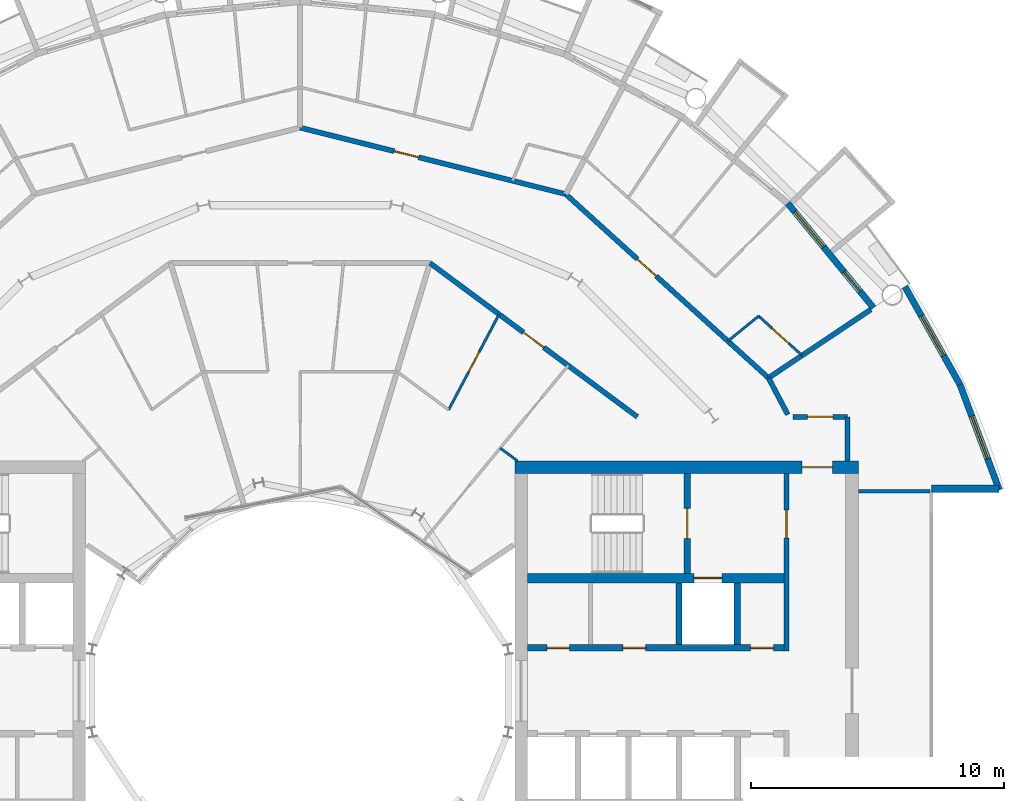
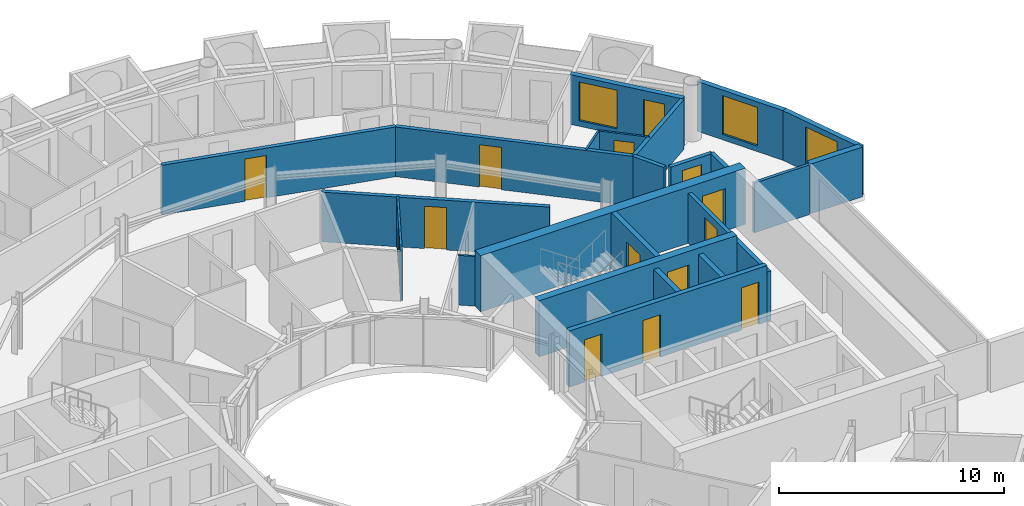
# One storey, part 22 of 26: 23 walls, 14 doors, 3 windows, 17 openings.
"""IFC4 building model written with IfcOpenShell, lengths in metres."""

from ifc_helpers import new_model, si_unit, direction, frame, frame_2d, origin, place, context, subcontext, project, spatial, rectangle, extrude, material, layer, layer_set, type_object, element, fill, save


model = new_model("IFC4")

# Units and contexts
model_context = context("Model", 3, precision=1e-05, world=origin(), true_north=direction((0.0, 1.0)))
body_context = subcontext(model_context, "Body", "Model", "MODEL_VIEW")
ifc_project = project(units=[si_unit("LENGTHUNIT", "METRE"), si_unit("AREAUNIT", "SQUARE_METRE"), si_unit("VOLUMEUNIT", "CUBIC_METRE"), si_unit("PLANEANGLEUNIT", "RADIAN"), si_unit("MASSUNIT", "GRAM", prefix="KILO")], contexts=[model_context])

# Site, building, storey
site_placement = place(None, origin())
site = spatial("IfcSite", under=ifc_project, at=site_placement, CompositionType="ELEMENT")
building_placement = place(site_placement, origin())
building = spatial("IfcBuilding", under=site, at=building_placement, Name="Maasbend Ring Residences", CompositionType="ELEMENT")
storey_placement = place(building_placement, frame((0.0, 0.0, 154.35009765625)))
storey = spatial("IfcBuildingStorey", under=building, at=storey_placement, Name="L44", CompositionType="ELEMENT", Elevation=154.35009765625)

# Wall, openings, doors
ifc_material_1 = material(Name="Concrete C60/75", Category="concrete")
ifc_layer_1 = layer(ifc_material_1, 0.25)
ifc_layer_set_1 = layer_set([ifc_layer_1], Name="Concrete C60/75")
wall_type_1 = type_object("IfcWallType", Name="CORE WALL 250 C60/75", PredefinedType="SHEAR", material=ifc_layer_set_1)
wall_1_placement = place(storey_placement, frame((9.0, 1.699951171875, 0.0), z_axis=(0.0, 0.0, 1.0), x_axis=(1.0, 0.0, 0.0)))
wall_1 = element("IfcWall", 1, at=wall_1_placement, inside=storey, type_object=wall_type_1, Name="L44 core E wall SPN", PredefinedType="SHEAR", context=body_context, shape_type="SweptSolid", body=[
    extrude(rectangle(XDim=10.14990234375, YDim=0.25, at=frame_2d((5.074951171875, 0.0))), origin(), (0.0, 0.0, 1.0), 3.0498046875),
])
opening_1_placement = place(wall_1_placement, frame((0.762451171875, 0.0, 0.0)))
opening_1 = element("IfcOpeningElement", 2, at=opening_1_placement, cuts=wall_1, Name="Opening D-E4406", PredefinedType="OPENING", context=body_context, shape_type="SweptSolid", body=[
    extrude(rectangle(XDim=0.89990234375, YDim=2.300048828125, at=frame_2d((0.449951171875, 1.14990234375))), frame((0.0, 0.135009765625, 0.0), z_axis=(0.0, -1.0, 0.0), x_axis=(1.0, 0.0, 0.0)), (0.0, 0.0, 1.0), 0.27001953125),
])
opening_2_placement = place(wall_1_placement, frame((3.77490234375, 0.0, 0.0)))
opening_2 = element("IfcOpeningElement", 3, at=opening_2_placement, cuts=wall_1, Name="Opening D-E4407", PredefinedType="OPENING", context=body_context, shape_type="SweptSolid", body=[
    extrude(rectangle(XDim=0.89990234375, YDim=2.300048828125, at=frame_2d((0.449951171875, 1.14990234375))), frame((0.0, 0.135009765625, 0.0), z_axis=(0.0, -1.0, 0.0), x_axis=(1.0, 0.0, 0.0)), (0.0, 0.0, 1.0), 0.27001953125),
])
opening_3_placement = place(wall_1_placement, frame((8.83740234375, 0.0, 0.0)))
opening_3 = element("IfcOpeningElement", 4, at=opening_3_placement, cuts=wall_1, Name="Opening D-E4408", PredefinedType="OPENING", context=body_context, shape_type="SweptSolid", body=[
    extrude(rectangle(XDim=0.89990234375, YDim=2.300048828125, at=frame_2d((0.449951171875, 1.14990234375))), frame((0.0, 0.135009765625, 0.0), z_axis=(0.0, -1.0, 0.0), x_axis=(1.0, 0.0, 0.0)), (0.0, 0.0, 1.0), 0.27001953125),
])
ifc_material_2 = material(Name="Steel, powder coated", Category="steel")
door_type_1 = type_object("IfcDoorType", Name="ROOM DOOR 900 X 2300 FD30S", OperationType="NOTDEFINED", PredefinedType="DOOR", material=ifc_material_2)
door_1_placement = place(opening_1_placement, origin())
door_1 = element("IfcDoor", 5, at=door_1_placement, inside=storey, type_object=door_type_1, Name="Room door L44", OperationType="SINGLE_SWING_RIGHT", OverallHeight=2.300048828125, OverallWidth=0.89990234375, PredefinedType="DOOR", context=body_context, shape_type="SweptSolid", body=[
    extrude(rectangle(XDim=0.89990234375, YDim=2.300048828125, at=frame_2d((0.449951171875, 1.14990234375))), frame((0.0, 0.02490234375, 0.0), z_axis=(0.0, -1.0, 0.0), x_axis=(1.0, 0.0, 0.0)), (0.0, 0.0, 1.0), 0.050048828125),
])
fill(opening_1, door_1)
door_2_placement = place(opening_2_placement, origin())
door_2 = element("IfcDoor", 6, at=door_2_placement, inside=storey, type_object=door_type_1, Name="Room door L44", OperationType="SINGLE_SWING_RIGHT", OverallHeight=2.300048828125, OverallWidth=0.89990234375, PredefinedType="DOOR", context=body_context, shape_type="SweptSolid", body=[
    extrude(rectangle(XDim=0.89990234375, YDim=2.300048828125, at=frame_2d((0.449951171875, 1.14990234375))), frame((0.0, 0.02490234375, 0.0), z_axis=(0.0, -1.0, 0.0), x_axis=(1.0, 0.0, 0.0)), (0.0, 0.0, 1.0), 0.050048828125),
])
fill(opening_2, door_2)
door_3_placement = place(opening_3_placement, origin())
door_3 = element("IfcDoor", 7, at=door_3_placement, inside=storey, type_object=door_type_1, Name="Room door L44", OperationType="SINGLE_SWING_LEFT", OverallHeight=2.300048828125, OverallWidth=0.89990234375, PredefinedType="DOOR", context=body_context, shape_type="SweptSolid", body=[
    extrude(rectangle(XDim=0.89990234375, YDim=2.300048828125, at=frame_2d((0.449951171875, 1.14990234375))), frame((0.0, 0.02490234375, 0.0), z_axis=(0.0, -1.0, 0.0), x_axis=(1.0, 0.0, 0.0)), (0.0, 0.0, 1.0), 0.050048828125),
])
fill(opening_3, door_3)

# Wall, opening, door
wall_2_placement = place(storey_placement, frame((15.324951171875, 4.64990234375, 0.0), z_axis=(0.0, 0.0, 1.0), x_axis=(0.0, 1.0, 0.0)))
wall_2 = element("IfcWall", 8, at=wall_2_placement, inside=storey, type_object=wall_type_1, Name="L44 core E wall STEN", PredefinedType="SHEAR", context=body_context, shape_type="SweptSolid", body=[
    extrude(rectangle(XDim=3.9501953125, YDim=0.25, at=frame_2d((1.97509765625, 0.0))), origin(), (0.0, 0.0, 1.0), 3.0498046875),
])
opening_4_placement = place(wall_2_placement, frame((1.375, 0.0, 0.0)))
opening_4 = element("IfcOpeningElement", 9, at=opening_4_placement, cuts=wall_2, Name="Opening D-E4411", PredefinedType="OPENING", context=body_context, shape_type="SweptSolid", body=[
    extrude(rectangle(XDim=1.199951171875, YDim=2.300048828125, at=frame_2d((0.60009765625, 1.14990234375))), frame((0.0, 0.135009765625, 0.0), z_axis=(0.0, -1.0, 0.0), x_axis=(1.0, 0.0, 0.0)), (0.0, 0.0, 1.0), 0.27001953125),
])
ifc_material_3 = material(Name="Steel, powder coated", Category="steel")
door_type_2 = type_object("IfcDoorType", Name="STAIR DOOR 1200 X 2300 FD60", OperationType="NOTDEFINED", PredefinedType="DOOR", material=ifc_material_3)
door_4_placement = place(opening_4_placement, origin())
door_4 = element("IfcDoor", 10, at=door_4_placement, inside=storey, type_object=door_type_2, Name="Stair door ST-E L44", OperationType="SINGLE_SWING_LEFT", OverallHeight=2.300048828125, OverallWidth=1.199951171875, PredefinedType="DOOR", context=body_context, shape_type="SweptSolid", body=[
    extrude(rectangle(XDim=1.199951171875, YDim=2.300048828125, at=frame_2d((0.60009765625, 1.14990234375))), frame((0.0, 0.02490234375, 0.0), z_axis=(0.0, -1.0, 0.0), x_axis=(1.0, 0.0, 0.0)), (0.0, 0.0, 1.0), 0.050048828125),
])
fill(opening_4, door_4)

ifc_material_4 = material(Name="Concrete C60/75", Category="concrete")
ifc_layer_2 = layer(ifc_material_4, 0.375)
ifc_layer_set_2 = layer_set([ifc_layer_2], Name="Concrete C60/75")
wall_type_2 = type_object("IfcWallType", Name="CORE WALL 375 C60/75", PredefinedType="SHEAR", material=ifc_layer_set_2)
wall_3_placement = place(storey_placement, frame((9.0, 4.46240234375, 0.0), z_axis=(0.0, 0.0, 1.0), x_axis=(1.0, 0.0, 0.0)))
wall_3 = element("IfcWall", 11, at=wall_3_placement, inside=storey, type_object=wall_type_2, Name="L44 core E wall BN", PredefinedType="SHEAR", context=body_context, shape_type="SweptSolid", body=[
    extrude(rectangle(XDim=10.14990234375, YDim=0.375, at=frame_2d((5.074951171875, 0.0))), origin(), (0.0, 0.0, 1.0), 3.0498046875),
])
opening_5_placement = place(wall_3_placement, frame((6.60009765625, 0.0, 0.0)))
opening_5 = element("IfcOpeningElement", 12, at=opening_5_placement, cuts=wall_3, Name="Opening LD-E4401", PredefinedType="OPENING", context=body_context, shape_type="SweptSolid", body=[
    extrude(rectangle(XDim=1.10009765625, YDim=2.300048828125, at=frame_2d((0.550048828125, 1.14990234375))), frame((0.0, 0.197509765625, 0.0), z_axis=(0.0, -1.0, 0.0), x_axis=(1.0, 0.0, 0.0)), (0.0, 0.0, 1.0), 0.39501953125),
])
ifc_material_5 = material(Name="Stainless steel 316", Category="steel")
door_type_3 = type_object("IfcDoorType", Name="LANDING DOOR 1100 X 2300 FD60", OperationType="DOUBLE_DOOR_SLIDING", PredefinedType="DOOR", material=ifc_material_5)
door_5_placement = place(opening_5_placement, origin())
door_5 = element("IfcDoor", 13, at=door_5_placement, inside=storey, type_object=door_type_3, Name="Landing door FF-E L44", OperationType="DOUBLE_DOOR_SLIDING", OverallHeight=2.300048828125, OverallWidth=1.10009765625, PredefinedType="DOOR", context=body_context, shape_type="SweptSolid", body=[
    extrude(rectangle(XDim=1.10009765625, YDim=2.300048828125, at=frame_2d((0.550048828125, 1.14990234375))), frame((0.0, 0.02490234375, 0.0), z_axis=(0.0, -1.0, 0.0), x_axis=(1.0, 0.0, 0.0)), (0.0, 0.0, 1.0), 0.050048828125),
])
fill(opening_5, door_5)

ifc_material_6 = material(Name="Concrete C60/75", Category="concrete")
ifc_layer_3 = layer(ifc_material_6, 0.5)
ifc_layer_set_3 = layer_set([ifc_layer_3], Name="Concrete C60/75")
wall_type_3 = type_object("IfcWallType", Name="CORE WALL 500 C60/75", PredefinedType="SHEAR", material=ifc_layer_set_3)
wall_4_placement = place(storey_placement, frame((22.10009765625, 8.85009765625, 0.0), z_axis=(0.0, 0.0, 1.0), x_axis=(-1.0, 0.0, 0.0)))
wall_4 = element("IfcWall", 14, at=wall_4_placement, inside=storey, type_object=wall_type_3, Name="L44 core E wall PN", PredefinedType="SHEAR", context=body_context, shape_type="SweptSolid", body=[
    extrude(rectangle(XDim=13.60009765625, YDim=0.5, at=frame_2d((6.800048828125, 0.0))), origin(), (0.0, 0.0, 1.0), 3.0498046875),
])
opening_6_placement = place(wall_4_placement, frame((1.02490234375, 0.0, 0.0)))
opening_6 = element("IfcOpeningElement", 15, at=opening_6_placement, cuts=wall_4, Name="Opening D-E4415", PredefinedType="OPENING", context=body_context, shape_type="SweptSolid", body=[
    extrude(rectangle(XDim=1.199951171875, YDim=2.300048828125, at=frame_2d((0.60009765625, 1.14990234375))), frame((0.0, 0.260009765625, 0.0), z_axis=(0.0, -1.0, 0.0), x_axis=(1.0, 0.0, 0.0)), (0.0, 0.0, 1.0), 0.52001953125),
])
ifc_material_7 = material(Name="Steel, powder coated", Category="steel")
door_type_4 = type_object("IfcDoorType", Name="CORRIDOR DOOR 1200 X 2300 FD30S", OperationType="NOTDEFINED", PredefinedType="DOOR", material=ifc_material_7)
door_6_placement = place(opening_6_placement, origin())
door_6 = element("IfcDoor", 16, at=door_6_placement, inside=storey, type_object=door_type_4, Name="Corridor door L44", OperationType="SINGLE_SWING_RIGHT", OverallHeight=2.300048828125, OverallWidth=1.199951171875, PredefinedType="DOOR", context=body_context, shape_type="SweptSolid", body=[
    extrude(rectangle(XDim=1.199951171875, YDim=2.300048828125, at=frame_2d((0.60009765625, 1.14990234375))), frame((0.0, 0.02490234375, 0.0), z_axis=(0.0, -1.0, 0.0), x_axis=(1.0, 0.0, 0.0)), (0.0, 0.0, 1.0), 0.050048828125),
])
fill(opening_6, door_6)

# Wall
ifc_material_8 = material(Name="Concrete C30/37", Category="concrete")
ifc_layer_4 = layer(ifc_material_8, 0.199951171875)
ifc_layer_set_4 = layer_set([ifc_layer_4], Name="Concrete C30/37")
wall_type_4 = type_object("IfcWallType", Name="CORRIDOR WALL 200 CONCRETE", PredefinedType="PARTITIONING", material=ifc_layer_set_4)
wall_5_placement = place(storey_placement, frame((21.675048828125, 9.10009765625, 0.0), z_axis=(0.0, 0.0, 1.0), x_axis=(0.0, 1.0, 0.0)))
element("IfcWall", 17, at=wall_5_placement, inside=storey, type_object=wall_type_4, Name="U-L44-w013", PredefinedType="PARTITIONING", context=body_context, shape_type="SweptSolid", body=[
    extrude(rectangle(XDim=1.75, YDim=0.199951171875, at=frame_2d((0.875, 0.0))), origin(), (0.0, 0.0, 1.0), 2.699951171875),
])

# Wall, opening, door
wall_6_placement = place(storey_placement, frame((19.50390625, 10.85009765625, 0.0), z_axis=(0.0, 0.0, 1.0), x_axis=(1.0, 0.0, 0.0)))
wall_6 = element("IfcWall", 18, at=wall_6_placement, inside=storey, type_object=wall_type_4, Name="U-L44-w092", PredefinedType="PARTITIONING", context=body_context, shape_type="SweptSolid", body=[
    extrude(rectangle(XDim=2.171142578125, YDim=0.199951171875, at=frame_2d((1.08544921875, 0.0))), origin(), (0.0, 0.0, 1.0), 2.699951171875),
])
opening_7_placement = place(wall_6_placement, frame((0.5849609375, 0.0, 0.0)))
opening_7 = element("IfcOpeningElement", 19, at=opening_7_placement, cuts=wall_6, Name="Opening D-4467", PredefinedType="OPENING", context=body_context, shape_type="SweptSolid", body=[
    extrude(rectangle(XDim=1.0, YDim=2.300048828125, at=frame_2d((0.5, 1.14990234375))), frame((0.0, 0.10986328125, 0.0), z_axis=(0.0, -1.0, 0.0), x_axis=(1.0, 0.0, 0.0)), (0.0, 0.0, 1.0), 0.219970703125),
])
ifc_material_9 = material(Name="Timber, painted", Category="wood")
door_type_5 = type_object("IfcDoorType", Name="ROOM DOOR 1000 X 2300", OperationType="NOTDEFINED", PredefinedType="DOOR", material=ifc_material_9)
door_7_placement = place(opening_7_placement, origin())
door_7 = element("IfcDoor", 20, at=door_7_placement, inside=storey, type_object=door_type_5, Name="D-4467", OperationType="SINGLE_SWING_LEFT", OverallHeight=2.300048828125, OverallWidth=1.0, PredefinedType="DOOR", context=body_context, shape_type="SweptSolid", body=[
    extrude(rectangle(XDim=1.0, YDim=2.300048828125, at=frame_2d((0.5, 1.14990234375))), frame((0.0, 0.02490234375, 0.0), z_axis=(0.0, -1.0, 0.0), x_axis=(1.0, 0.0, 0.0)), (0.0, 0.0, 1.0), 0.050048828125),
])
fill(opening_7, door_7)

wall_7_placement = place(storey_placement, frame((5.136962890625, 16.93798828125, 0.0), z_axis=(0.0, 0.0, 1.0), x_axis=(0.803229232922, -0.595670042371, 0.0)))
wall_7 = element("IfcWall", 21, at=wall_7_placement, inside=storey, type_object=wall_type_4, Name="U-L44-w100", PredefinedType="PARTITIONING", context=body_context, shape_type="SweptSolid", body=[
    extrude(rectangle(XDim=10.223876953125, YDim=0.199951171875, at=frame_2d((5.11181640625, 0.0))), origin(), (0.0, 0.0, 1.0), 2.699951171875),
])
opening_8_placement = place(wall_7_placement, frame((4.612060546875, 0.0, 0.0)))
opening_8 = element("IfcOpeningElement", 22, at=opening_8_placement, cuts=wall_7, Name="Opening D-4421", PredefinedType="OPENING", context=body_context, shape_type="SweptSolid", body=[
    extrude(rectangle(XDim=1.0, YDim=2.300048828125, at=frame_2d((0.5, 1.14990234375))), frame((0.0, 0.10986328125, 0.0), z_axis=(0.0, -1.0, 0.0), x_axis=(1.0, 0.0, 0.0)), (0.0, 0.0, 1.0), 0.219970703125),
])
ifc_material_10 = material(Name="Timber, fire-rated, painted", Category="wood")
door_type_6 = type_object("IfcDoorType", Name="FLAT ENTRANCE DOOR 1000 X 2300 FIRE-RATED", OperationType="NOTDEFINED", PredefinedType="DOOR", material=ifc_material_10)
door_8_placement = place(opening_8_placement, origin())
door_8 = element("IfcDoor", 23, at=door_8_placement, inside=storey, type_object=door_type_6, Name="D-4421", OperationType="SINGLE_SWING_RIGHT", OverallHeight=2.300048828125, OverallWidth=1.0, PredefinedType="DOOR", context=body_context, shape_type="SweptSolid", body=[
    extrude(rectangle(XDim=1.0, YDim=2.300048828125, at=frame_2d((0.5, 1.14990234375))), frame((0.0, 0.02490234375, 0.0), z_axis=(0.0, -1.0, 0.0), x_axis=(1.0, 0.0, 0.0)), (0.0, 0.0, 1.0), 0.050048828125),
])
fill(opening_8, door_8)

wall_8_placement = place(storey_placement, frame((-0.006103515625, 22.299072265625, 0.0), z_axis=(0.0, 0.0, 1.0), x_axis=(0.970086843848, -0.242758141765, 0.0)))
wall_8 = element("IfcWall", 24, at=wall_8_placement, inside=storey, type_object=wall_type_4, Name="U-L44-w104", PredefinedType="PARTITIONING", context=body_context, shape_type="SweptSolid", body=[
    extrude(rectangle(XDim=10.84228515625, YDim=0.199951171875, at=frame_2d((5.421142578125, 0.0))), origin(), (0.0, 0.0, 1.0), 2.699951171875),
])
opening_9_placement = place(wall_8_placement, frame((3.841064453125, 0.0, 0.0)))
opening_9 = element("IfcOpeningElement", 25, at=opening_9_placement, cuts=wall_8, Name="Opening D-4406", PredefinedType="OPENING", context=body_context, shape_type="SweptSolid", body=[
    extrude(rectangle(XDim=1.0, YDim=2.300048828125, at=frame_2d((0.5, 1.14990234375))), frame((0.0, 0.10986328125, 0.0), z_axis=(0.0, -1.0, 0.0), x_axis=(1.0, 0.0, 0.0)), (0.0, 0.0, 1.0), 0.219970703125),
])
door_9_placement = place(opening_9_placement, origin())
door_9 = element("IfcDoor", 26, at=door_9_placement, inside=storey, type_object=door_type_6, Name="D-4406", OperationType="SINGLE_SWING_LEFT", OverallHeight=2.300048828125, OverallWidth=1.0, PredefinedType="DOOR", context=body_context, shape_type="SweptSolid", body=[
    extrude(rectangle(XDim=1.0, YDim=2.300048828125, at=frame_2d((0.5, 1.14990234375))), frame((0.0, 0.02490234375, 0.0), z_axis=(0.0, -1.0, 0.0), x_axis=(1.0, 0.0, 0.0)), (0.0, 0.0, 1.0), 0.050048828125),
])
fill(opening_9, door_9)

wall_9_placement = place(storey_placement, frame((10.511962890625, 19.6669921875, 0.0), z_axis=(0.0, 0.0, 1.0), x_axis=(0.740947367223, -0.671563101283, 0.0)))
wall_9 = element("IfcWall", 27, at=wall_9_placement, inside=storey, type_object=wall_type_4, Name="U-L44-w105", PredefinedType="PARTITIONING", context=body_context, shape_type="SweptSolid", body=[
    extrude(rectangle(XDim=10.83740234375, YDim=0.199951171875, at=frame_2d((5.418701171875, 0.0))), origin(), (0.0, 0.0, 1.0), 2.699951171875),
])
opening_10_placement = place(wall_9_placement, frame((3.8349609375, 0.0, 0.0)))
opening_10 = element("IfcOpeningElement", 28, at=opening_10_placement, cuts=wall_9, Name="Opening D-4401", PredefinedType="OPENING", context=body_context, shape_type="SweptSolid", body=[
    extrude(rectangle(XDim=1.0, YDim=2.300048828125, at=frame_2d((0.5, 1.14990234375))), frame((0.0, 0.10986328125, 0.0), z_axis=(0.0, -1.0, 0.0), x_axis=(1.0, 0.0, 0.0)), (0.0, 0.0, 1.0), 0.219970703125),
])
door_10_placement = place(opening_10_placement, origin())
door_10 = element("IfcDoor", 29, at=door_10_placement, inside=storey, type_object=door_type_6, Name="D-4401", OperationType="SINGLE_SWING_LEFT", OverallHeight=2.300048828125, OverallWidth=1.0, PredefinedType="DOOR", context=body_context, shape_type="SweptSolid", body=[
    extrude(rectangle(XDim=1.0, YDim=2.300048828125, at=frame_2d((0.5, 1.14990234375))), frame((0.0, 0.02490234375, 0.0), z_axis=(0.0, -1.0, 0.0), x_axis=(1.0, 0.0, 0.0)), (0.0, 0.0, 1.0), 0.050048828125),
])
fill(opening_10, door_10)

# Wall
wall_10_placement = place(storey_placement, frame((18.5419921875, 12.388916015625, 0.0), z_axis=(0.0, 0.0, 1.0), x_axis=(0.465605550524, -0.884992356646, 0.0)))
element("IfcWall", 30, at=wall_10_placement, inside=storey, type_object=wall_type_4, Name="U-L44-w109", PredefinedType="PARTITIONING", context=body_context, shape_type="SweptSolid", body=[
    extrude(rectangle(XDim=1.642822265625, YDim=0.199951171875, at=frame_2d((0.8212890625, 0.0))), origin(), (0.0, 0.0, 1.0), 2.699951171875),
])

# Wall, openings, door, window
ifc_material_11 = material(Name="Aluminium clad insulated panel", Category="aluminium")
ifc_layer_5 = layer(ifc_material_11, 0.25)
ifc_layer_set_5 = layer_set([ifc_layer_5], Name="EW-GL")
wall_type_5 = type_object("IfcWallType", Name="EW-GL", PredefinedType="SOLIDWALL", material=ifc_layer_set_5)
wall_11_placement = place(storey_placement, frame((22.698974609375, 15.1669921875, 0.0), z_axis=(0.0, 0.0, 1.0), x_axis=(-0.634382322723, 0.773019449054, 0.0)))
wall_11 = element("IfcWall", 31, at=wall_11_placement, inside=storey, type_object=wall_type_5, Name="External wall N01", PredefinedType="SOLIDWALL", context=body_context, shape_type="SweptSolid", body=[
    extrude(rectangle(XDim=5.351806640625, YDim=0.25, at=frame_2d((2.67578125, 0.0))), origin(), (0.0, 0.0, 1.0), 2.699951171875),
])
opening_11_placement = place(wall_11_placement, frame((0.841064453125, 0.0, 0.0)))
opening_11 = element("IfcOpeningElement", 32, at=opening_11_placement, cuts=wall_11, Name="Opening D-LG", PredefinedType="OPENING", context=body_context, shape_type="SweptSolid", body=[
    extrude(rectangle(XDim=1.0, YDim=2.199951171875, at=frame_2d((0.5, 1.10009765625))), frame((0.0, 0.135009765625, 0.0), z_axis=(0.0, -1.0, 0.0), x_axis=(1.0, 0.0, 0.0)), (0.0, 0.0, 1.0), 0.27001953125),
])
opening_12_placement = place(wall_11_placement, frame((3.110595703125, 0.0, 0.300048828125)))
opening_12 = element("IfcOpeningElement", 33, at=opening_12_placement, cuts=wall_11, Name="Opening W-BX", PredefinedType="OPENING", context=body_context, shape_type="SweptSolid", body=[
    extrude(rectangle(XDim=1.800048828125, YDim=2.10009765625, at=frame_2d((0.89990234375, 1.050048828125))), frame((0.0, 0.135009765625, 0.0), z_axis=(0.0, -1.0, 0.0), x_axis=(1.0, 0.0, 0.0)), (0.0, 0.0, 1.0), 0.27001953125),
])
ifc_material_12 = material(Name="Aluminium and clear glass", Category="aluminium")
door_type_7 = type_object("IfcDoorType", Name="D-LG", OperationType="SINGLE_SWING_LEFT", PredefinedType="DOOR", material=ifc_material_12)
door_11_placement = place(opening_11_placement, origin())
door_11 = element("IfcDoor", 34, at=door_11_placement, inside=storey, type_object=door_type_7, Name="Loggia door N01", OperationType="SINGLE_SWING_LEFT", OverallHeight=2.199951171875, OverallWidth=1.0, PredefinedType="DOOR", context=body_context, shape_type="SweptSolid", body=[
    extrude(rectangle(XDim=1.0, YDim=2.199951171875, at=frame_2d((0.5, 1.10009765625))), frame((0.0, 0.02490234375, 0.0), z_axis=(0.0, -1.0, 0.0), x_axis=(1.0, 0.0, 0.0)), (0.0, 0.0, 1.0), 0.050048828125),
])
fill(opening_11, door_11)
ifc_material_13 = material(Name="Aluminium and clear glass", Category="aluminium")
window_type = type_object("IfcWindowType", Name="W-BX", PartitioningType="DOUBLE_PANEL_VERTICAL", PredefinedType="WINDOW", material=ifc_material_13)
window_1_placement = place(opening_12_placement, origin())
window_1 = element("IfcWindow", 35, at=window_1_placement, inside=storey, type_object=window_type, Name="Window N02 room to box", OverallHeight=2.10009765625, OverallWidth=1.800048828125, PartitioningType="SINGLE_PANEL", PredefinedType="WINDOW", context=body_context, shape_type="SweptSolid", body=[
    extrude(rectangle(XDim=1.800048828125, YDim=2.10009765625, at=frame_2d((0.89990234375, 1.050048828125))), frame((0.0, 0.030029296875, 0.0), z_axis=(0.0, -1.0, 0.0), x_axis=(1.0, 0.0, 0.0)), (0.0, 0.0, 1.0), 0.06005859375),
])
fill(opening_12, window_1)

# Wall, opening, window
ifc_material_14 = material(Name="Aluminium clad insulated panel", Category="aluminium")
ifc_layer_6 = layer(ifc_material_14, 0.25)
ifc_layer_set_6 = layer_set([ifc_layer_6], Name="EW-HORN")
wall_type_6 = type_object("IfcWallType", Name="EW-HORN", PredefinedType="SOLIDWALL", material=ifc_layer_set_6)
wall_12_placement = place(storey_placement, frame((27.681884765625, 7.945068359375, 0.0), z_axis=(0.0, 0.0, 1.0), x_axis=(-0.349247811493, 0.937030397675, 0.0)))
wall_12 = element("IfcWall", 36, at=wall_12_placement, inside=storey, type_object=wall_type_6, Name="Horn wall 1.1", PredefinedType="SOLIDWALL", context=body_context, shape_type="SweptSolid", body=[
    extrude(rectangle(XDim=4.4521484375, YDim=0.25, at=frame_2d((2.22607421875, 0.0))), origin(), (0.0, 0.0, 1.0), 2.699951171875),
])
opening_13_placement = place(wall_12_placement, frame((1.32666015625, 0.0, 0.300048828125)))
opening_13 = element("IfcOpeningElement", 37, at=opening_13_placement, cuts=wall_12, Name="Opening W-BX", PredefinedType="OPENING", context=body_context, shape_type="SweptSolid", body=[
    extrude(rectangle(XDim=1.800048828125, YDim=2.10009765625, at=frame_2d((0.89990234375, 1.050048828125))), frame((0.0, 0.135009765625, 0.0), z_axis=(0.0, -1.0, 0.0), x_axis=(1.0, 0.0, 0.0)), (0.0, 0.0, 1.0), 0.27001953125),
])
window_2_placement = place(opening_13_placement, origin())
window_2 = element("IfcWindow", 38, at=window_2_placement, inside=storey, type_object=window_type, Name="Horn window 1.1", OverallHeight=2.10009765625, OverallWidth=1.800048828125, PartitioningType="SINGLE_PANEL", PredefinedType="WINDOW", context=body_context, shape_type="SweptSolid", body=[
    extrude(rectangle(XDim=1.800048828125, YDim=2.10009765625, at=frame_2d((0.89990234375, 1.050048828125))), frame((0.0, 0.030029296875, 0.0), z_axis=(0.0, -1.0, 0.0), x_axis=(1.0, 0.0, 0.0)), (0.0, 0.0, 1.0), 0.06005859375),
])
fill(opening_13, window_2)

wall_13_placement = place(storey_placement, frame((26.126953125, 12.116943359375, 0.0), z_axis=(0.0, 0.0, 1.0), x_axis=(-0.489696356642, 0.871893042919, 0.0)))
wall_13 = element("IfcWall", 39, at=wall_13_placement, inside=storey, type_object=wall_type_6, Name="Horn wall 1.2", PredefinedType="SOLIDWALL", context=body_context, shape_type="SweptSolid", body=[
    extrude(rectangle(XDim=4.45361328125, YDim=0.25, at=frame_2d((2.226806640625, 0.0))), origin(), (0.0, 0.0, 1.0), 2.699951171875),
])
opening_14_placement = place(wall_13_placement, frame((1.32666015625, 0.0, 0.300048828125)))
opening_14 = element("IfcOpeningElement", 40, at=opening_14_placement, cuts=wall_13, Name="Opening W-BX", PredefinedType="OPENING", context=body_context, shape_type="SweptSolid", body=[
    extrude(rectangle(XDim=1.800048828125, YDim=2.10009765625, at=frame_2d((0.89990234375, 1.050048828125))), frame((0.0, 0.135009765625, 0.0), z_axis=(0.0, -1.0, 0.0), x_axis=(1.0, 0.0, 0.0)), (0.0, 0.0, 1.0), 0.27001953125),
])
window_3_placement = place(opening_14_placement, origin())
window_3 = element("IfcWindow", 41, at=window_3_placement, inside=storey, type_object=window_type, Name="Horn window 1.2", OverallHeight=2.10009765625, OverallWidth=1.800048828125, PartitioningType="SINGLE_PANEL", PredefinedType="WINDOW", context=body_context, shape_type="SweptSolid", body=[
    extrude(rectangle(XDim=1.800048828125, YDim=2.10009765625, at=frame_2d((0.89990234375, 1.050048828125))), frame((0.0, 0.030029296875, 0.0), z_axis=(0.0, -1.0, 0.0), x_axis=(1.0, 0.0, 0.0)), (0.0, 0.0, 1.0), 0.06005859375),
])
fill(opening_14, window_3)

# Wall
ifc_material_15 = material(Name="Aluminium clad insulated panel", Category="aluminium")
ifc_layer_7 = layer(ifc_material_15, 0.300048828125)
ifc_layer_set_7 = layer_set([ifc_layer_7], Name="EW-RET")
wall_type_7 = type_object("IfcWallType", Name="EW-RET", PredefinedType="SOLIDWALL", material=ifc_layer_set_7)
wall_14_placement = place(storey_placement, frame((25.0, 8.0, 0.0), z_axis=(0.0, 0.0, 1.0), x_axis=(1.0, 0.0, 0.0)))
element("IfcWall", 42, at=wall_14_placement, inside=storey, type_object=wall_type_7, Name="Notch return wall east north", PredefinedType="SOLIDWALL", context=body_context, shape_type="SweptSolid", body=[
    extrude(rectangle(XDim=2.6669921875, YDim=0.300048828125, at=frame_2d((1.33349609375, 0.0))), origin(), (0.0, 0.0, 1.0), 2.699951171875),
])

# Wall, opening, door
ifc_material_16 = material(Name="Gypsum board on steel studs", Category="steel")
ifc_layer_8 = layer(ifc_material_16, 0.10009765625)
ifc_layer_set_8 = layer_set([ifc_layer_8], Name="PARTITION 100 GYPSUM")
wall_type_8 = type_object("IfcWallType", Name="PARTITION 100 GYPSUM", PredefinedType="PARTITIONING", material=ifc_layer_set_8)
wall_15_placement = place(storey_placement, frame((5.876953125, 11.125, 0.0), z_axis=(0.0, 0.0, 1.0), x_axis=(0.467030118529, 0.884241408432, 0.0)))
wall_15 = element("IfcWall", 43, at=wall_15_placement, inside=storey, type_object=wall_type_8, Name="U-L44-w074", PredefinedType="PARTITIONING", context=body_context, shape_type="SweptSolid", body=[
    extrude(rectangle(XDim=4.278076171875, YDim=0.10009765625, at=frame_2d((2.13916015625, 0.0))), origin(), (0.0, 0.0, 1.0), 2.699951171875),
])
opening_15_placement = place(wall_15_placement, frame((1.68896484375, 0.0, 0.0)))
opening_15 = element("IfcOpeningElement", 44, at=opening_15_placement, cuts=wall_15, Name="Opening D-4422", PredefinedType="OPENING", context=body_context, shape_type="SweptSolid", body=[
    extrude(rectangle(XDim=0.89990234375, YDim=2.300048828125, at=frame_2d((0.449951171875, 1.14990234375))), frame((0.0, 0.06005859375, 0.0), z_axis=(0.0, -1.0, 0.0), x_axis=(1.0, 0.0, 0.0)), (0.0, 0.0, 1.0), 0.1201171875),
])
ifc_material_17 = material(Name="Timber, painted", Category="wood")
door_type_8 = type_object("IfcDoorType", Name="INTERNAL DOOR 900 X 2300", OperationType="NOTDEFINED", PredefinedType="DOOR", material=ifc_material_17)
door_12_placement = place(opening_15_placement, origin())
door_12 = element("IfcDoor", 45, at=door_12_placement, inside=storey, type_object=door_type_8, Name="D-4422", OperationType="SINGLE_SWING_RIGHT", OverallHeight=2.300048828125, OverallWidth=0.89990234375, PredefinedType="DOOR", context=body_context, shape_type="SweptSolid", body=[
    extrude(rectangle(XDim=0.89990234375, YDim=2.300048828125, at=frame_2d((0.449951171875, 1.14990234375))), frame((0.0, 0.02490234375, 0.0), z_axis=(0.0, -1.0, 0.0), x_axis=(1.0, 0.0, 0.0)), (0.0, 0.0, 1.0), 0.050048828125),
])
fill(opening_15, door_12)

# Walls
wall_16_placement = place(storey_placement, frame((16.93603515625, 13.844970703125, 0.0), z_axis=(0.0, 0.0, 1.0), x_axis=(0.774283039722, 0.632839453889, 0.0)))
element("IfcWall", 46, at=wall_16_placement, inside=storey, type_object=wall_type_8, Name="U-L44-w084", PredefinedType="PARTITIONING", context=body_context, shape_type="SweptSolid", body=[
    extrude(rectangle(XDim=1.569091796875, YDim=0.10009765625, at=frame_2d((0.78466796875, 0.0))), origin(), (0.0, 0.0, 1.0), 2.699951171875),
])
wall_17_placement = place(storey_placement, frame((7.91796875, 9.611083984375, 0.0), z_axis=(0.0, 0.0, 1.0), x_axis=(0.803199066515, -0.595710718007, 0.0)))
element("IfcWall", 47, at=wall_17_placement, inside=storey, type_object=wall_type_8, Name="U-L44-w096", PredefinedType="PARTITIONING", context=body_context, shape_type="SweptSolid", body=[
    extrude(rectangle(XDim=0.857666015625, YDim=0.10009765625, at=frame_2d((0.4287109375, 0.0))), origin(), (0.0, 0.0, 1.0), 2.699951171875),
])

# Wall, opening, door
wall_18_placement = place(storey_placement, frame((18.14892578125, 14.840087890625, 0.0), z_axis=(0.0, 0.0, 1.0), x_axis=(0.741127434804, -0.671364376014, 0.0)))
wall_18 = element("IfcWall", 48, at=wall_18_placement, inside=storey, type_object=wall_type_8, Name="U-L44-w117", PredefinedType="PARTITIONING", context=body_context, shape_type="SweptSolid", body=[
    extrude(rectangle(XDim=2.32373046875, YDim=0.10009765625, at=frame_2d((1.161865234375, 0.0))), origin(), (0.0, 0.0, 1.0), 2.699951171875),
])
opening_16_placement = place(wall_18_placement, frame((0.714111328125, 0.0, 0.0)))
opening_16 = element("IfcOpeningElement", 49, at=opening_16_placement, cuts=wall_18, Name="Opening D-4402", PredefinedType="OPENING", context=body_context, shape_type="SweptSolid", body=[
    extrude(rectangle(XDim=0.89990234375, YDim=2.300048828125, at=frame_2d((0.449951171875, 1.14990234375))), frame((0.0, 0.06005859375, 0.0), z_axis=(0.0, -1.0, 0.0), x_axis=(1.0, 0.0, 0.0)), (0.0, 0.0, 1.0), 0.1201171875),
])
door_13_placement = place(opening_16_placement, origin())
door_13 = element("IfcDoor", 50, at=door_13_placement, inside=storey, type_object=door_type_8, Name="D-4402", OperationType="SINGLE_SWING_RIGHT", OverallHeight=2.300048828125, OverallWidth=0.89990234375, PredefinedType="DOOR", context=body_context, shape_type="SweptSolid", body=[
    extrude(rectangle(XDim=0.89990234375, YDim=2.300048828125, at=frame_2d((0.449951171875, 1.14990234375))), frame((0.0, 0.02490234375, 0.0), z_axis=(0.0, -1.0, 0.0), x_axis=(1.0, 0.0, 0.0)), (0.0, 0.0, 1.0), 0.050048828125),
])
fill(opening_16, door_13)

# Walls
ifc_material_18 = material(Name="Gypsum board on steel studs", Category="steel")
ifc_layer_9 = layer(ifc_material_18, 0.14990234375)
ifc_layer_set_9 = layer_set([ifc_layer_9], Name="PARTITION 150 EI 60")
wall_type_9 = type_object("IfcWallType", Name="PARTITION 150 EI 60", PredefinedType="PARTITIONING", material=ifc_layer_set_9)
wall_19_placement = place(storey_placement, frame((22.10009765625, 7.89990234375, 0.0), z_axis=(0.0, 0.0, 1.0), x_axis=(1.0, 0.0, 0.0)))
element("IfcWall", 51, at=wall_19_placement, inside=storey, type_object=wall_type_9, Name="L44 core E wall CITN", PredefinedType="PARTITIONING", context=body_context, shape_type="SweptSolid", body=[
    extrude(rectangle(XDim=2.83984375, YDim=0.14990234375, at=frame_2d((1.419921875, 0.0))), origin(), (0.0, 0.0, 1.0), 2.699951171875),
])
ifc_material_19 = material(Name="Concrete C30/37", Category="concrete")
ifc_layer_10 = layer(ifc_material_19, 0.199951171875)
ifc_layer_set_10 = layer_set([ifc_layer_10], Name="Concrete C30/37")
wall_type_10 = type_object("IfcWallType", Name="PARTY WALL 200 CONCRETE", PredefinedType="PARTITIONING", material=ifc_layer_set_10)
wall_20_placement = place(storey_placement, frame((18.5419921875, 12.388916015625, 0.0), z_axis=(0.0, 0.0, 1.0), x_axis=(0.831387096605, 0.55569370664, 0.0)))
element("IfcWall", 52, at=wall_20_placement, inside=storey, type_object=wall_type_10, Name="U-L44-w086", PredefinedType="PARTITIONING", context=body_context, shape_type="SweptSolid", body=[
    extrude(rectangle(XDim=4.875, YDim=0.199951171875, at=frame_2d((2.4375, 0.0))), origin(), (0.0, 0.0, 1.0), 2.699951171875),
])

# Wall, opening, door
ifc_material_20 = material(Name="Concrete C30/37", Category="concrete")
ifc_layer_11 = layer(ifc_material_20, 0.199951171875)
ifc_layer_set_11 = layer_set([ifc_layer_11], Name="Concrete C30/37")
wall_type_11 = type_object("IfcWallType", Name="SHAFT WALL 200 EI 120", PredefinedType="SOLIDWALL", material=ifc_layer_set_11)
wall_21_placement = place(storey_placement, frame((19.25, 1.574951171875, 0.0), z_axis=(0.0, 0.0, 1.0), x_axis=(0.0, 1.0, 0.0)))
wall_21 = element("IfcWall", 53, at=wall_21_placement, inside=storey, type_object=wall_type_11, Name="L44 core E wall ENDN", PredefinedType="SOLIDWALL", context=body_context, shape_type="SweptSolid", body=[
    extrude(rectangle(XDim=7.025146484375, YDim=0.199951171875, at=frame_2d((3.5126953125, 0.0))), origin(), (0.0, 0.0, 1.0), 2.699951171875),
])
opening_17_placement = place(wall_21_placement, frame((4.47509765625, 0.0, 0.0)))
opening_17 = element("IfcOpeningElement", 54, at=opening_17_placement, cuts=wall_21, Name="Opening D-E4413", PredefinedType="OPENING", context=body_context, shape_type="SweptSolid", body=[
    extrude(rectangle(XDim=1.10009765625, YDim=2.300048828125, at=frame_2d((0.550048828125, 1.14990234375))), frame((0.0, 0.10986328125, 0.0), z_axis=(0.0, -1.0, 0.0), x_axis=(1.0, 0.0, 0.0)), (0.0, 0.0, 1.0), 0.219970703125),
])
ifc_material_21 = material(Name="Steel, powder coated", Category="steel")
door_type_9 = type_object("IfcDoorType", Name="LOBBY DOOR 1100 X 2300 FD60", OperationType="NOTDEFINED", PredefinedType="DOOR", material=ifc_material_21)
door_14_placement = place(opening_17_placement, origin())
door_14 = element("IfcDoor", 55, at=door_14_placement, inside=storey, type_object=door_type_9, Name="Lobby door L44", OperationType="SINGLE_SWING_LEFT", OverallHeight=2.300048828125, OverallWidth=1.10009765625, PredefinedType="DOOR", context=body_context, shape_type="SweptSolid", body=[
    extrude(rectangle(XDim=1.10009765625, YDim=2.300048828125, at=frame_2d((0.550048828125, 1.14990234375))), frame((0.0, 0.02490234375, 0.0), z_axis=(0.0, -1.0, 0.0), x_axis=(1.0, 0.0, 0.0)), (0.0, 0.0, 1.0), 0.050048828125),
])
fill(opening_17, door_14)

# Walls
ifc_material_22 = material(Name="Concrete C30/37", Category="concrete")
ifc_layer_12 = layer(ifc_material_22, 0.25)
ifc_layer_set_12 = layer_set([ifc_layer_12], Name="Concrete C30/37")
wall_type_12 = type_object("IfcWallType", Name="SHAFT WALL 250 EI 120", PredefinedType="SOLIDWALL", material=ifc_layer_set_12)
for number, where, z_axis, x_axis, name in (
    (56, (15.0, 1.824951171875, 0.0), (0.0, 0.0, 1.0), (0.0, 1.0, 0.0), "L44 core E wall D150N"),
    (57, (17.300048828125, 1.824951171875, 0.0), (0.0, 0.0, 1.0), (0.0, 1.0, 0.0), "L44 core E wall D173N"),
):
    element("IfcWall", number, at=place(storey_placement, frame(where, z_axis=z_axis, x_axis=x_axis)), inside=storey, type_object=wall_type_12, Name=name, PredefinedType="SOLIDWALL", context=body_context, shape_type="SweptSolid", body=[
        extrude(rectangle(XDim=2.449951171875, YDim=0.25, at=frame_2d((1.22509765625, 0.0))), origin(), (0.0, 0.0, 1.0), 2.699951171875),
    ])

save(model, "model.ifc")
